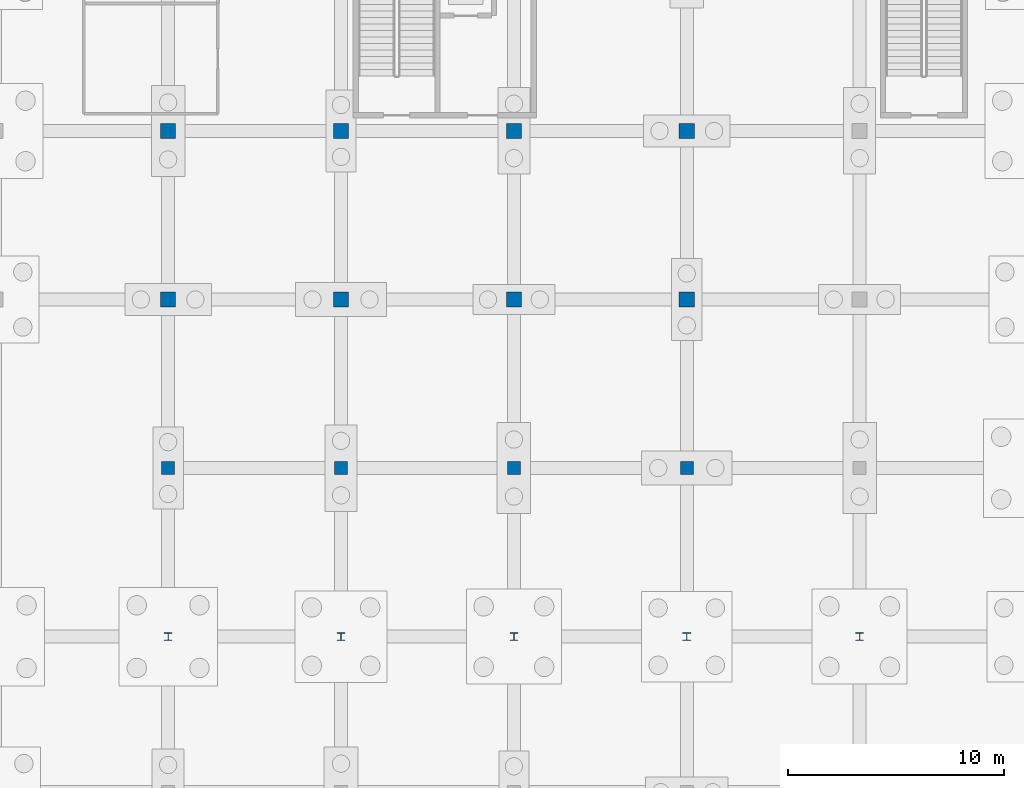
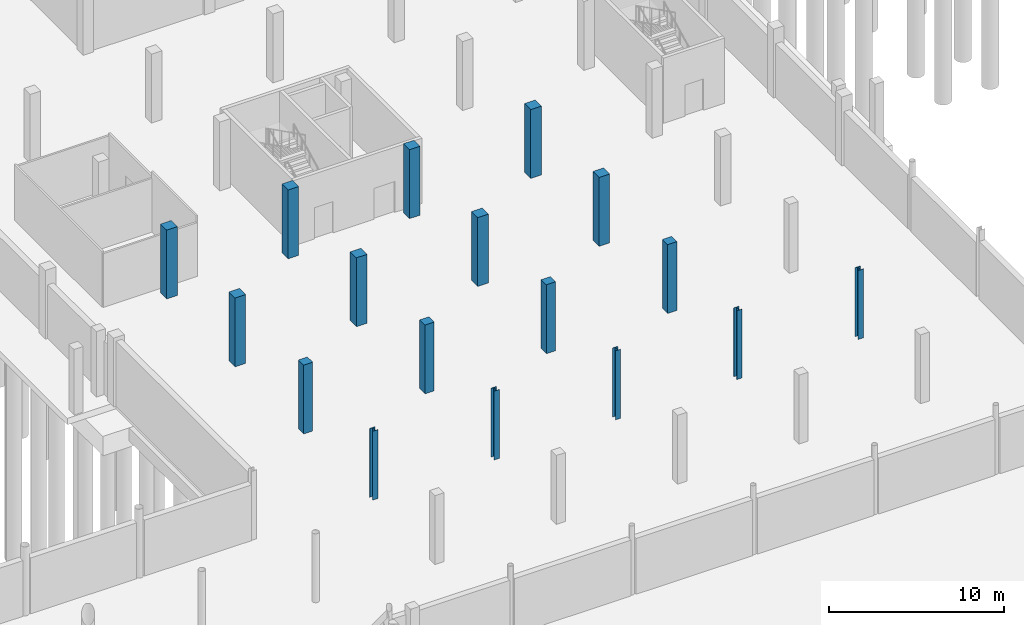
# One storey, part 20 of 44: 17 columns.
"""IFC4 building model written with IfcOpenShell, lengths in metres."""

from ifc_helpers import new_model, si_unit, direction, frame, origin, origin_2d, place, context, subcontext, project, spatial, rectangle, i_section, extrude, material, material_profile, profile_set, type_object, element, save


model = new_model("IFC4")

# Units and contexts
model_context = context("Model", 3, precision=1e-05, world=origin(), true_north=direction((0.0, 1.0)))
body_context = subcontext(model_context, "Body", "Model", "MODEL_VIEW")
ifc_project = project(units=[si_unit("LENGTHUNIT", "METRE"), si_unit("AREAUNIT", "SQUARE_METRE"), si_unit("VOLUMEUNIT", "CUBIC_METRE"), si_unit("PLANEANGLEUNIT", "RADIAN"), si_unit("MASSUNIT", "GRAM", prefix="KILO")], contexts=[model_context])

# Site, building, storey
site_placement = place(None, origin())
site = spatial("IfcSite", under=ifc_project, at=site_placement, CompositionType="ELEMENT")
building_placement = place(site_placement, origin())
building = spatial("IfcBuilding", under=site, at=building_placement, Name="Yukiwa Park Conservatory and Herbarium", CompositionType="ELEMENT")
storey_placement = place(building_placement, frame((0.0, 0.0, -4.800048828125)))
storey = spatial("IfcBuildingStorey", under=building, at=storey_placement, Name="B1", CompositionType="ELEMENT", Elevation=-4.800048828125)

# Columns
ifc_material_1 = material(Name="Concrete C40", Category="concrete")
ifc_material_profile_1 = material_profile(ifc_material_1, rectangle(XDim=0.60009765625, YDim=0.60009765625, at=origin_2d()), Name="RC 600x600")
ifc_profile_set_1 = profile_set([ifc_material_profile_1], Name="Concrete C40")
column_type_1 = type_object("IfcColumnType", Name="COL-B1-RC600", PredefinedType="COLUMN", material=ifc_profile_set_1)
for number, where, z_axis, x_axis, name in (
    (1, (68.0, 39.0, 0.0), (0.0, 0.0, 1.0), (1.0, 0.0, 0.0), "B1 column V2B-X680-Y390"),
    (2, (76.0, 39.0, 0.0), (0.0, 0.0, 1.0), (1.0, 0.0, 0.0), "B1 column V2B-X760-Y390"),
    (3, (84.0, 39.0, 0.0), (0.0, 0.0, 1.0), (1.0, 0.0, 0.0), "B1 column V2B-X840-Y390"),
    (4, (92.0, 39.0, 0.0), (0.0, 0.0, 1.0), (1.0, 0.0, 0.0), "B1 column V2B-X920-Y390"),
):
    element("IfcColumn", number, at=place(storey_placement, frame(where, z_axis=z_axis, x_axis=x_axis)), inside=storey, type_object=column_type_1, Name=name, PredefinedType="COLUMN", context=body_context, shape_type="SweptSolid", body=[
        extrude(rectangle(XDim=0.60009765625, YDim=0.60009765625, at=origin_2d()), origin(), (0.0, 0.0, 1.0), 4.800048828125),
    ])
ifc_material_2 = material(Name="Concrete C50", Category="concrete")
ifc_material_profile_2 = material_profile(ifc_material_2, rectangle(XDim=0.699951171875, YDim=0.699951171875, at=origin_2d()), Name="RC 700x700")
ifc_profile_set_2 = profile_set([ifc_material_profile_2], Name="Concrete C50")
column_type_2 = type_object("IfcColumnType", Name="COL-B1-RC700", PredefinedType="COLUMN", material=ifc_profile_set_2)
for number, where, z_axis, x_axis, name in (
    (5, (68.0, 46.800048828125, 0.0), (0.0, 0.0, 1.0), (1.0, 0.0, 0.0), "B1 column V3-X680-Y468"),
    (6, (68.0, 54.60009765625, 0.0), (0.0, 0.0, 1.0), (1.0, 0.0, 0.0), "B1 column V3-X680-Y546"),
    (7, (76.0, 46.800048828125, 0.0), (0.0, 0.0, 1.0), (1.0, 0.0, 0.0), "B1 column V3-X760-Y468"),
    (8, (76.0, 54.60009765625, 0.0), (0.0, 0.0, 1.0), (1.0, 0.0, 0.0), "B1 column V3-X760-Y546"),
    (9, (84.0, 46.800048828125, 0.0), (0.0, 0.0, 1.0), (1.0, 0.0, 0.0), "B1 column V3-X840-Y468"),
    (10, (84.0, 54.60009765625, 0.0), (0.0, 0.0, 1.0), (1.0, 0.0, 0.0), "B1 column V3-X840-Y546"),
    (11, (92.0, 46.800048828125, 0.0), (0.0, 0.0, 1.0), (1.0, 0.0, 0.0), "B1 column V3-X920-Y468"),
    (12, (92.0, 54.60009765625, 0.0), (0.0, 0.0, 1.0), (1.0, 0.0, 0.0), "B1 column V3-X920-Y546"),
):
    element("IfcColumn", number, at=place(storey_placement, frame(where, z_axis=z_axis, x_axis=x_axis)), inside=storey, type_object=column_type_2, Name=name, PredefinedType="COLUMN", context=body_context, shape_type="SweptSolid", body=[
        extrude(rectangle(XDim=0.699951171875, YDim=0.699951171875, at=origin_2d()), origin(), (0.0, 0.0, 1.0), 4.800048828125),
    ])
ifc_material_3 = material(Name="Steel Q355D", Category="steel")
ifc_material_profile_3 = material_profile(ifc_material_3, i_section(OverallWidth=0.35009765625, OverallDepth=0.35009765625, WebThickness=0.011962890625, FlangeThickness=0.01904296875, FilletRadius=0.02001953125, at=origin_2d()), Name="HW 350x350x12x19")
ifc_profile_set_3 = profile_set([ifc_material_profile_3], Name="Steel Q355D")
column_type_3 = type_object("IfcColumnType", Name="COL-TW-HW350", PredefinedType="COLUMN", material=ifc_profile_set_3)
for number, where, z_axis, x_axis, name in (
    (13, (68.0, 31.199951171875, 0.0), (0.0, 0.0, 1.0), (1.0, 0.0, 0.0), "B1 column V2-X680-Y312"),
    (14, (76.0, 31.199951171875, 0.0), (0.0, 0.0, 1.0), (1.0, 0.0, 0.0), "B1 column V2-X760-Y312"),
    (15, (84.0, 31.199951171875, 0.0), (0.0, 0.0, 1.0), (1.0, 0.0, 0.0), "B1 column V2-X840-Y312"),
    (16, (92.0, 31.199951171875, 0.0), (0.0, 0.0, 1.0), (1.0, 0.0, 0.0), "B1 column V2-X920-Y312"),
    (17, (100.0, 31.199951171875, 0.0), (0.0, 0.0, 1.0), (1.0, 0.0, 0.0), "B1 column V2-X1000-Y312"),
):
    element("IfcColumn", number, at=place(storey_placement, frame(where, z_axis=z_axis, x_axis=x_axis)), inside=storey, type_object=column_type_3, Name=name, PredefinedType="COLUMN", context=body_context, shape_type="SweptSolid", body=[
        extrude(i_section(OverallWidth=0.35009765625, OverallDepth=0.35009765625, WebThickness=0.011962890625, FlangeThickness=0.01904296875, FilletRadius=0.02001953125, at=origin_2d()), origin(), (0.0, 0.0, 1.0), 4.800048828125),
    ])

save(model, "model.ifc")
